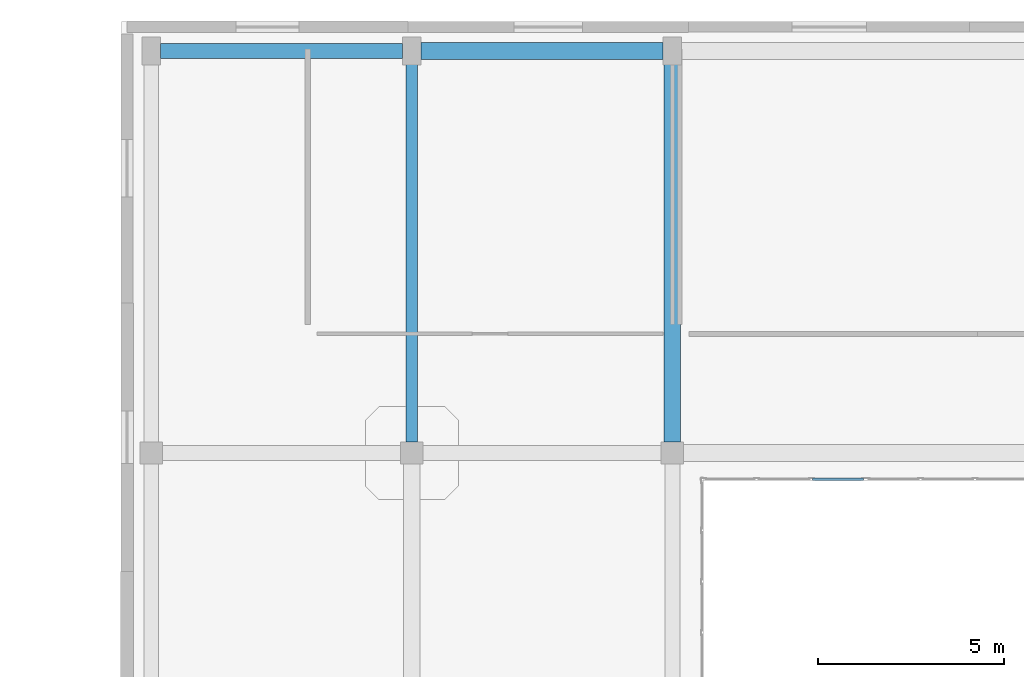
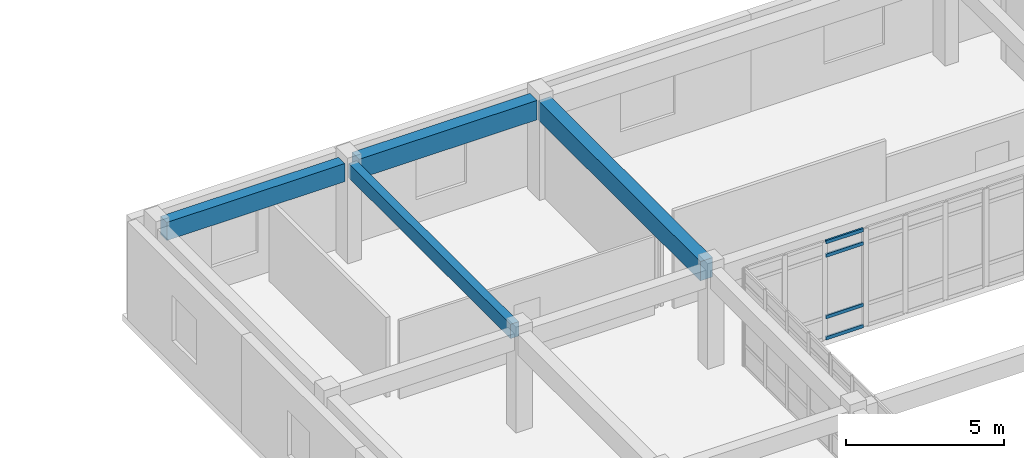
# One storey, part 58 of 91: 4 beams, 4 members, 1 element without a shape of its own.
"""IFC4 building model written with IfcOpenShell, lengths in metres."""

from ifc_helpers import new_model, si_unit, direction, frame, origin, origin_2d, place, context, subcontext, project, spatial, rectangle, hollow_rectangle, extrude, material, layer, layer_set, material_profile, profile_set, type_object, element, aggregate, save


model = new_model("IFC4")

# Units and contexts
model_context = context("Model", 3, precision=1e-05, world=origin(), true_north=direction((0.0, 1.0)))
body_context = subcontext(model_context, "Body", "Model", "MODEL_VIEW")
ifc_project = project(units=[si_unit("LENGTHUNIT", "METRE"), si_unit("AREAUNIT", "SQUARE_METRE"), si_unit("VOLUMEUNIT", "CUBIC_METRE"), si_unit("PLANEANGLEUNIT", "RADIAN"), si_unit("MASSUNIT", "GRAM", prefix="KILO")], contexts=[model_context])

# Site, building, storey
site_placement = place(None, origin())
site = spatial("IfcSite", under=ifc_project, at=site_placement, CompositionType="ELEMENT")
building_placement = place(site_placement, origin())
building = spatial("IfcBuilding", under=site, at=building_placement, Name="Valcora Specialist Clinic", CompositionType="ELEMENT")
storey_placement = place(building_placement, frame((0.0, 0.0, 13.60009765625)))
storey = spatial("IfcBuildingStorey", under=building, at=storey_placement, Name="L03", CompositionType="ELEMENT", Elevation=13.60009765625)

# Beams
ifc_material_1 = material(Name="Concrete C40/50", Category="concrete")
ifc_material_profile_1 = material_profile(ifc_material_1, rectangle(XDim=0.300048828125, YDim=0.550048828125, at=origin_2d()), Name="RC-BM-300X550")
ifc_profile_set_1 = profile_set([ifc_material_profile_1], Name="Concrete C40/50")
beam_type_1 = type_object("IfcBeamType", Name="TY-BM-RC300X550", PredefinedType="BEAM", material=ifc_profile_set_1)
beam_1_placement = place(storey_placement, frame((69.0, 99.5, 3.5), z_axis=(0.0, 1.0, 0.0), x_axis=(-1.0, 0.0, 0.0)))
element("IfcBeam", 1, at=beam_1_placement, inside=storey, type_object=beam_type_1, Name="Beam BM-L03-0809", PredefinedType="BEAM", context=body_context, shape_type="SweptSolid", body=[
    extrude(rectangle(XDim=0.300048828125, YDim=0.550048828125, at=origin_2d()), origin(), (0.0, 0.0, 1.0), 10.25),
])
ifc_material_profile_2 = material_profile(ifc_material_1, rectangle(XDim=0.39990234375, YDim=0.699951171875, at=origin_2d()), Name="RC-BM-400X700")
ifc_profile_set_2 = profile_set([ifc_material_profile_2], Name="Concrete C40/50")
beam_type_2 = type_object("IfcBeamType", Name="TY-BM-RC400X700", PredefinedType="BEAM", material=ifc_profile_set_2)
beam_2_placement = place(storey_placement, frame((62.25, 110.0, 3.4248046875), z_axis=(1.0, 0.0, 0.0), x_axis=(0.0, 1.0, 0.0)))
element("IfcBeam", 2, at=beam_2_placement, inside=storey, type_object=beam_type_2, Name="Beam BM-L03-0796", PredefinedType="BEAM", context=body_context, shape_type="SweptSolid", body=[
    extrude(rectangle(XDim=0.39990234375, YDim=0.699951171875, at=origin_2d()), origin(), (0.0, 0.0, 1.0), 6.5),
])
ifc_material_profile_3 = material_profile(ifc_material_1, rectangle(XDim=0.449951171875, YDim=0.75, at=origin_2d()), Name="RC-BM-450X750")
ifc_profile_set_3 = profile_set([ifc_material_profile_3], Name="Concrete C40/50")
beam_type_3 = type_object("IfcBeamType", Name="TY-BM-RC450X750", PredefinedType="BEAM", material=ifc_profile_set_3)
beam_3_placement = place(storey_placement, frame((69.25, 110.0, 3.39990234375), z_axis=(1.0, 0.0, 0.0), x_axis=(0.0, 1.0, 0.0)))
element("IfcBeam", 3, at=beam_3_placement, inside=storey, type_object=beam_type_3, Name="Beam BM-L03-0797", PredefinedType="BEAM", context=body_context, shape_type="SweptSolid", body=[
    extrude(rectangle(XDim=0.449951171875, YDim=0.75, at=origin_2d()), origin(), (0.0, 0.0, 1.0), 6.5),
])
beam_4_placement = place(storey_placement, frame((76.0, 99.5, 3.39990234375), z_axis=(0.0, 1.0, 0.0), x_axis=(-1.0, 0.0, 0.0)))
element("IfcBeam", 4, at=beam_4_placement, inside=storey, type_object=beam_type_3, Name="Beam BM-L03-0813", PredefinedType="BEAM", context=body_context, shape_type="SweptSolid", body=[
    extrude(rectangle(XDim=0.449951171875, YDim=0.75, at=origin_2d()), origin(), (0.0, 0.0, 1.0), 10.25),
])

# Curtain wall, members
ifc_material_2 = material(Name="Anodized Bronze Aluminium 6063-T6", Category="aluminium")
ifc_layer = layer(ifc_material_2, 0.175048828125)
ifc_layer_set = layer_set([ifc_layer], Name="Anodized Bronze Aluminium 6063-T6")
curtain_wall_type = type_object("IfcCurtainWallType", Name="TY-CW-CRT15", PredefinedType="NOTDEFINED", material=ifc_layer_set)
curtain_wall_placement = place(storey_placement, origin())
curtain_wall = element("IfcCurtainWall", 5, at=curtain_wall_placement, inside=storey, type_object=curtain_wall_type, Name="Curtain wall CW-L03-133", PredefinedType="NOTDEFINED")
ifc_material_profile_4 = material_profile(ifc_material_2, hollow_rectangle(XDim=0.06494140625, YDim=0.1298828125, WallThickness=0.00390625, at=origin_2d()), Name="AL-TRN-65X130")
ifc_profile_set_4 = profile_set([ifc_material_profile_4], Name="Anodized Bronze Aluminium 6063-T6")
member_type = type_object("IfcMemberType", Name="TY-CWT-65X130", PredefinedType="USERDEFINED", material=ifc_profile_set_4)
member_1_placement = place(storey_placement, frame((81.135009765625, 98.5, 0.032470703125), z_axis=(-1.0, 0.0, 0.0), x_axis=(0.0, -1.0, 0.0)))
member_1 = element("IfcMember", 6, at=member_1_placement, type_object=member_type, Name="CW-CRT-15 transom 1.1", ObjectType="TRANSOM", PredefinedType="USERDEFINED", context=body_context, shape_type="SweptSolid", body=[
    extrude(hollow_rectangle(XDim=0.06494140625, YDim=0.1298828125, WallThickness=0.00390625, at=origin_2d()), origin(), (0.0, 0.0, 1.0), 1.369140625),
])
member_2_placement = place(storey_placement, frame((81.135009765625, 98.5, 0.849853515625), z_axis=(-1.0, 0.0, 0.0), x_axis=(0.0, -1.0, 0.0)))
member_2 = element("IfcMember", 7, at=member_2_placement, type_object=member_type, Name="CW-CRT-15 transom 1.2", ObjectType="TRANSOM", PredefinedType="USERDEFINED", context=body_context, shape_type="SweptSolid", body=[
    extrude(hollow_rectangle(XDim=0.06494140625, YDim=0.1298828125, WallThickness=0.00390625, at=origin_2d()), origin(), (0.0, 0.0, 1.0), 1.369140625),
])
member_3_placement = place(storey_placement, frame((81.135009765625, 98.5, 3.224853515625), z_axis=(-1.0, 0.0, 0.0), x_axis=(0.0, -1.0, 0.0)))
member_3 = element("IfcMember", 8, at=member_3_placement, type_object=member_type, Name="CW-CRT-15 transom 1.3", ObjectType="TRANSOM", PredefinedType="USERDEFINED", context=body_context, shape_type="SweptSolid", body=[
    extrude(hollow_rectangle(XDim=0.06494140625, YDim=0.1298828125, WallThickness=0.00390625, at=origin_2d()), origin(), (0.0, 0.0, 1.0), 1.369140625),
])
member_4_placement = place(storey_placement, frame((81.135009765625, 98.5, 3.742431640625), z_axis=(-1.0, 0.0, 0.0), x_axis=(0.0, -1.0, 0.0)))
member_4 = element("IfcMember", 9, at=member_4_placement, type_object=member_type, Name="CW-CRT-15 transom 1.4", ObjectType="TRANSOM", PredefinedType="USERDEFINED", context=body_context, shape_type="SweptSolid", body=[
    extrude(hollow_rectangle(XDim=0.06494140625, YDim=0.1298828125, WallThickness=0.00390625, at=origin_2d()), origin(), (0.0, 0.0, 1.0), 1.369140625),
])
aggregate(curtain_wall, [member_1, member_2, member_3, member_4])

save(model, "model.ifc")
